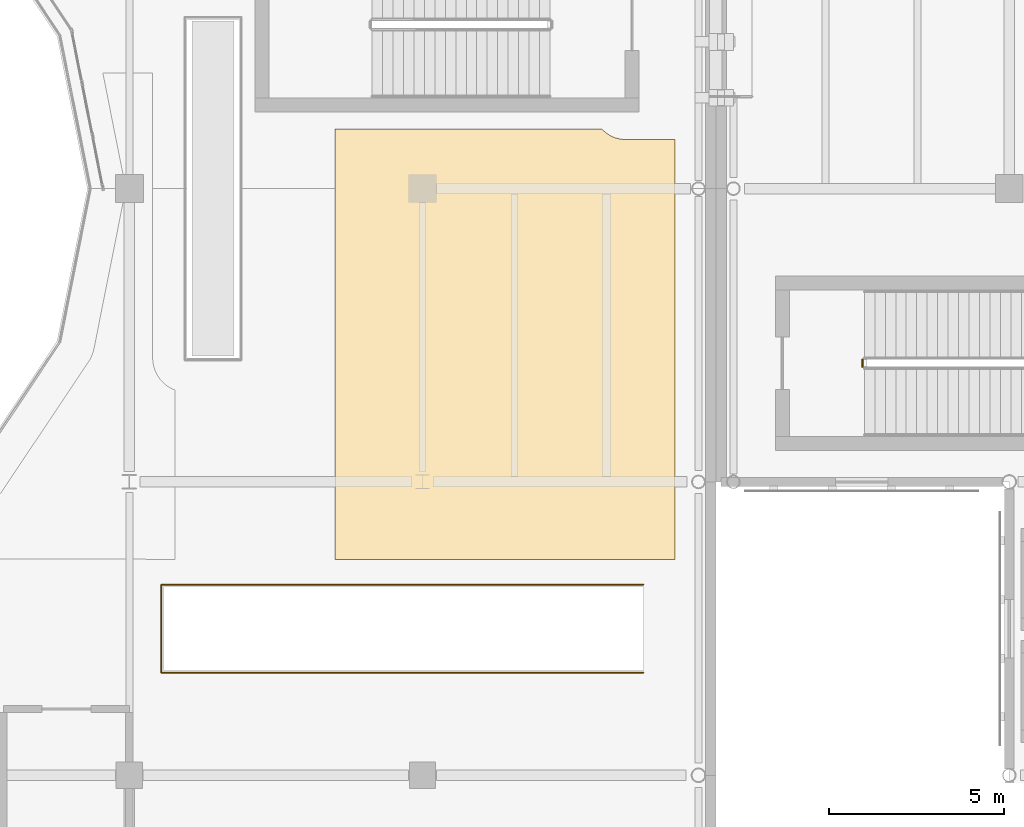
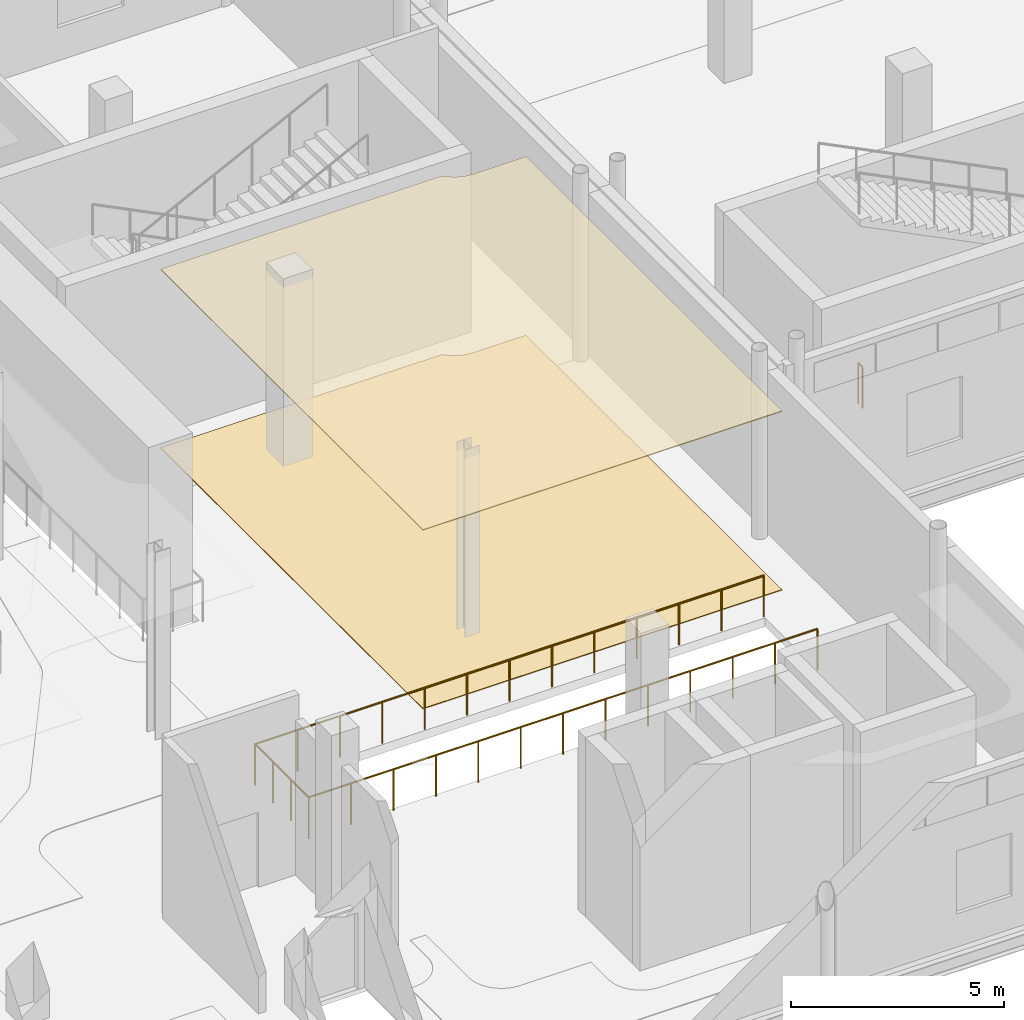
# One storey, part 89 of 110: 2 coverings, 2 railings.
"""IFC4 building model written with IfcOpenShell, lengths in metres."""

import ifcopenshell
import ifcopenshell.guid

model = None  # the IFC model being written
_history = None  # IfcOwnerHistory: only IFC2X3 demands one
_inside = {}  # id of a spatial element -> (the spatial element, [elements in it])
_under = {}  # id of a project, library or spatial element -> (it, [spatial elements below it])
_declared = {}  # id of a project -> (the project, [libraries it declares])
_typed = {}  # id of a type object -> (the type object, [elements of that type])
_made_of = {}  # id of a material, layer set ... -> (it, [elements and type objects made of it])


def new_model(schema):
    """Start an empty IFC model of exactly this schema.

    Asked for "IFC4X3", IfcOpenShell would pick the latest addendum, in which some entities
    have other attributes; the version numbers below select the first issue.
    IFC2X3 requires an IfcOwnerHistory on every rooted entity: one is made here for all.
    """
    global model, _history
    if schema == "IFC4X3":
        model = ifcopenshell.file(schema_version=(4, 3, 0, 0))
    else:
        model = ifcopenshell.file(schema=schema)
    _inside.clear()
    _under.clear()
    _declared.clear()
    _typed.clear()
    _made_of.clear()
    _history = None
    if model.schema == "IFC2X3":
        org = make("IfcOrganization", Name="unknown")
        user = make(
            "IfcPersonAndOrganization",
            ThePerson=make("IfcPerson", FamilyName="unknown"),
            TheOrganization=org,
        )
        app = make(
            "IfcApplication",
            ApplicationDeveloper=org,
            Version="unknown",
            ApplicationFullName="unknown",
            ApplicationIdentifier="unknown",
        )
        _history = make(
            "IfcOwnerHistory",
            OwningUser=user,
            OwningApplication=app,
            ChangeAction="ADDED",
            CreationDate=0,
        )
    return model


def make(cls, **values):
    """One entity of the class cls with the attributes given. An attribute that is None is left unset."""
    return model.create_entity(
        cls, **{name: value for name, value in values.items() if value is not None}
    )


def rooted(cls, **values):
    """An entity with a GlobalId (a new one), such as an element, a storey or a relation."""
    return make(cls, GlobalId=ifcopenshell.guid.new(), OwnerHistory=_history, **values)


def si_unit(unit_type, name, prefix=None):
    """IfcSIUnit, for example si_unit("LENGTHUNIT", "METRE", prefix="MILLI")."""
    return make("IfcSIUnit", UnitType=unit_type, Prefix=prefix, Name=name)


def assignment(units):
    """IfcUnitAssignment: the units of a project."""
    return None if units is None else make("IfcUnitAssignment", Units=units)


def point(xyz):
    """IfcCartesianPoint."""
    return None if xyz is None else make("IfcCartesianPoint", Coordinates=xyz)


def direction(xyz):
    """IfcDirection."""
    return None if xyz is None else make("IfcDirection", DirectionRatios=xyz)


def frame(location, z_axis=None, x_axis=None):
    """IfcAxis2Placement3D, a coordinate frame: its origin and axes. An axis left out is left unset."""
    return make(
        "IfcAxis2Placement3D",
        Location=point(location),
        Axis=direction(z_axis),
        RefDirection=direction(x_axis),
    )


def frame_2d(location, x_axis=None):
    """IfcAxis2Placement2D, a coordinate frame in the plane: its origin and x axis."""
    return make(
        "IfcAxis2Placement2D", Location=point(location), RefDirection=direction(x_axis)
    )


def origin():
    """The frame at (0, 0, 0) with its axes left unset."""
    return frame((0.0, 0.0, 0.0))


def origin_2d():
    """The frame at (0, 0) in the plane with its x axis left unset."""
    return frame_2d((0.0, 0.0))


def place(relative_to, where):
    """IfcLocalPlacement: puts the frame where relative to a parent placement (None: the world)."""
    return make(
        "IfcLocalPlacement", PlacementRelTo=relative_to, RelativePlacement=where
    )


def context(
    kind, dimensions, precision=None, world=None, true_north=None, identifier=None
):
    """IfcGeometricRepresentationContext, for example the 3D "Model" context."""
    return make(
        "IfcGeometricRepresentationContext",
        ContextIdentifier=identifier,
        ContextType=kind,
        CoordinateSpaceDimension=dimensions,
        Precision=precision,
        WorldCoordinateSystem=world,
        TrueNorth=true_north,
    )


def subcontext(parent, identifier, kind, view, scale=None):
    """IfcGeometricRepresentationSubContext, for example "Body" below "Model"."""
    return make(
        "IfcGeometricRepresentationSubContext",
        ContextIdentifier=identifier,
        ContextType=kind,
        ParentContext=parent,
        TargetScale=scale,
        TargetView=view,
    )


def project(units=None, contexts=None):
    """IfcProject with its units and contexts."""
    return rooted(
        "IfcProject",
        Name="project",
        RepresentationContexts=contexts,
        UnitsInContext=assignment(units),
    )


def spatial(cls, under=None, at=None, **own):
    """A site, building, storey or space (cls), placed at a placement, below another one or the project."""
    s = rooted(cls, ObjectPlacement=at, **own)
    if under is not None:
        _under.setdefault(under.id(), (under, []))[1].append(s)
    return s


def polyline(points):
    """IfcPolyline through the points."""
    return make("IfcPolyline", Points=[point(p) for p in points])


def profile(cls, at=None, kind="AREA", **sizes):
    """A parametric profile (cls). Its sizes go by their IFC names, for example OverallWidth=200.0."""
    return make(cls, ProfileType=kind, Position=at, **sizes)


def circle(**sizes):
    """IfcCircleProfileDef."""
    return profile("IfcCircleProfileDef", **sizes)


def outline(outer, holes=None, kind="AREA"):
    """IfcArbitraryClosedProfileDef: a profile drawn as a closed curve; with holes, ...WithVoids."""
    if holes is None:
        return make("IfcArbitraryClosedProfileDef", ProfileType=kind, OuterCurve=outer)
    return make(
        "IfcArbitraryProfileDefWithVoids",
        ProfileType=kind,
        OuterCurve=outer,
        InnerCurves=holes,
    )


def extrude(swept, where, along, depth):
    """IfcExtrudedAreaSolid: the profile swept, set in the frame where, extruded along a direction by depth."""
    return make(
        "IfcExtrudedAreaSolid",
        SweptArea=swept,
        Position=where,
        ExtrudedDirection=direction(along),
        Depth=depth,
    )


def shape(context_of_items, identifier, shape_type, items):
    """IfcShapeRepresentation: the items that make up one representation, for example the "Body"."""
    return make(
        "IfcShapeRepresentation",
        ContextOfItems=context_of_items,
        RepresentationIdentifier=identifier,
        RepresentationType=shape_type,
        Items=items,
    )


def material(Name=None, Category=None):
    """IfcMaterial."""
    return make("IfcMaterial", Name=Name, Category=Category)


def layer(
    of_material, thickness, ventilated=None, Name=None, Category=None, Priority=None
):
    """IfcMaterialLayer: one layer of a wall or slab, of a material (None: an air gap)."""
    return make(
        "IfcMaterialLayer",
        Material=of_material,
        LayerThickness=thickness,
        IsVentilated=ventilated,
        Name=Name,
        Category=Category,
        Priority=Priority,
    )


def layer_set(layers, Name=None):
    """IfcMaterialLayerSet."""
    return make("IfcMaterialLayerSet", MaterialLayers=layers, LayerSetName=Name)


def made_of(thing, what):
    """Note that an element or type object is made of a material, layer set ...; save() writes the relation."""
    if what is not None:
        _made_of.setdefault(what.id(), (what, []))[1].append(thing)
    return thing


def type_object(cls, material=None, **own):
    """A type object (cls), such as IfcWallType, which elements share."""
    return made_of(rooted(cls, **own), material)


def element(
    cls,
    number,
    at=None,
    inside=None,
    cuts=None,
    type_object=None,
    material=None,
    context=None,
    identifier="Body",
    shape_type=None,
    held_by="IfcProductDefinitionShape",
    body=None,
    shapes=None,
    **own,
):
    """One element of the class cls, such as IfcWall. Its Tag is "e" and its number.

    at: its placement. inside: the storey or other place that contains it. cuts: it is an
    opening in that element (IfcRelVoidsElement). A single representation is given by context,
    identifier, shape_type and body (its items); several are given by shapes. held_by: the class
    of the entity that holds the representations. save() writes the other relations.
    """
    e = rooted(cls, Tag="e%d" % number, ObjectPlacement=at, **own)
    if body is not None:
        shapes = [shape(context, identifier, shape_type, body)]
    if shapes is not None:
        e.Representation = make(held_by, Representations=shapes)
    if inside is not None:
        _inside.setdefault(inside.id(), (inside, []))[1].append(e)
    if cuts is not None:
        rooted(
            "IfcRelVoidsElement", RelatingBuildingElement=cuts, RelatedOpeningElement=e
        )
    if type_object is not None:
        _typed.setdefault(type_object.id(), (type_object, []))[1].append(e)
    return made_of(e, material)


def aggregate(whole, parts):
    """IfcRelAggregates: a whole, such as a stair, and the parts it consists of."""
    return rooted("IfcRelAggregates", RelatingObject=whole, RelatedObjects=parts)


def save(model, path):
    """Write the relations noted so far, then the file.

    IfcRelAggregates (storeys below a building ...), IfcRelContainedInSpatialStructure (elements
    in a storey), IfcRelDefinesByType, IfcRelAssociatesMaterial and IfcRelDeclares: one each for
    every whole, place, type object, material and project.
    """
    for whole, parts in _under.values():
        aggregate(whole, parts)
    for where, things in _inside.values():
        rooted(
            "IfcRelContainedInSpatialStructure",
            RelatedElements=things,
            RelatingStructure=where,
        )
    for kind, things in _typed.values():
        rooted("IfcRelDefinesByType", RelatedObjects=things, RelatingType=kind)
    for what, things in _made_of.values():
        rooted("IfcRelAssociatesMaterial", RelatedObjects=things, RelatingMaterial=what)
    for by, libraries in _declared.values():
        rooted("IfcRelDeclares", RelatingContext=by, RelatedDefinitions=libraries)
    model.write(path)


model = new_model("IFC4")

# Units and contexts
model_context = context("Model", 3, precision=1e-05, world=origin(), true_north=direction((0.0, 1.0)))
body_context = subcontext(model_context, "Body", "Model", "MODEL_VIEW")
ifc_project = project(units=[si_unit("LENGTHUNIT", "METRE"), si_unit("AREAUNIT", "SQUARE_METRE"), si_unit("VOLUMEUNIT", "CUBIC_METRE"), si_unit("PLANEANGLEUNIT", "RADIAN"), si_unit("MASSUNIT", "GRAM", prefix="KILO"), si_unit("THERMODYNAMICTEMPERATUREUNIT", "KELVIN")], contexts=[model_context])

# Site, building, storey
site_placement = place(None, origin())
site = spatial("IfcSite", under=ifc_project, at=site_placement, CompositionType="ELEMENT")
building_placement = place(site_placement, origin())
building = spatial("IfcBuilding", under=site, at=building_placement, Name="Lustrewick Department Store", CompositionType="ELEMENT")
storey_placement = place(building_placement, frame((0.0, 0.0, 6.0)))
storey = spatial("IfcBuildingStorey", under=building, at=storey_placement, Name="L02", CompositionType="ELEMENT", Elevation=6.0)

# Coverings
ifc_material_1 = material(Name="Perforated mineral-fibre acoustic ceiling board", Category="gypsum")
ifc_layer_1 = layer(ifc_material_1, 0.02490234375, Name="Perforated mineral-fibre acoustic ceiling board")
ifc_layer_set_1 = layer_set([ifc_layer_1], Name="Perforated mineral-fibre acoustic ceiling board")
covering_type_1 = type_object("IfcCoveringType", Name="COV-CEIL", PredefinedType="CEILING", material=ifc_layer_set_1)
covering_1_placement = place(storey_placement, frame((0.0, 0.0, 5.1201171875)))
element("IfcCovering", 1, at=covering_1_placement, inside=storey, type_object=covering_type_1, Name="L02 V1 Retail Merchandise Gallery 2 Acoustic Ceiling", PredefinedType="CEILING", context=body_context, shape_type="SweptSolid", body=[
    extrude(outline(polyline([(55.535400390625, 68.909912109375), (47.889892578125, 68.909912109375), (47.889892578125, 56.580078125), (57.6298828125, 56.580078125), (57.6298828125, 68.610107421875), (56.197021484375, 68.610107421875), (56.1123046875, 68.6142578125), (56.0283203125, 68.626708984375), (56.02490234375, 68.62744140625), (56.007568359375, 68.631103515625), (56.00439453125, 68.6318359375), (55.92138671875, 68.654541015625), (55.841552734375, 68.685302734375), (55.8388671875, 68.6865234375), (55.836181640625, 68.687744140625), (55.76953125, 68.72119140625), (55.765625, 68.723388671875), (55.7041015625, 68.760986328125), (55.64599609375, 68.803466796875), (55.641357421875, 68.80712890625), (55.570556640625, 68.87060546875), (55.535400390625, 68.909912109375)])), origin(), (0.0, 0.0, 1.0), 0.02490234375),
])
ifc_material_2 = material(Name="Polished terrazzo and porcelain floor finish", Category="masonry")
ifc_layer_2 = layer(ifc_material_2, 0.02001953125, Name="Polished terrazzo and porcelain floor finish")
ifc_layer_set_2 = layer_set([ifc_layer_2], Name="Polished terrazzo and porcelain floor finish")
covering_type_2 = type_object("IfcCoveringType", Name="COV-FLR", PredefinedType="FLOORING", material=ifc_layer_set_2)
covering_2_placement = place(storey_placement, origin())
element("IfcCovering", 2, at=covering_2_placement, inside=storey, type_object=covering_type_2, Name="L02 V1 Retail Merchandise Gallery 2 Terrazzo Flooring", PredefinedType="FLOORING", context=body_context, shape_type="SweptSolid", body=[
    extrude(outline(polyline([(55.535400390625, 68.909912109375), (47.889892578125, 68.909912109375), (47.889892578125, 56.580078125), (57.6298828125, 56.580078125), (57.6298828125, 68.610107421875), (56.197021484375, 68.610107421875), (56.1123046875, 68.6142578125), (56.0283203125, 68.626708984375), (56.02490234375, 68.62744140625), (56.007568359375, 68.631103515625), (56.00439453125, 68.6318359375), (55.92138671875, 68.654541015625), (55.841552734375, 68.685302734375), (55.8388671875, 68.6865234375), (55.836181640625, 68.687744140625), (55.76953125, 68.72119140625), (55.765625, 68.723388671875), (55.7041015625, 68.760986328125), (55.64599609375, 68.803466796875), (55.641357421875, 68.80712890625), (55.570556640625, 68.87060546875), (55.535400390625, 68.909912109375)])), origin(), (0.0, 0.0, 1.0), 0.02001953125),
])

# Railings
ifc_material_3 = material(Name="Laminated safety glass and bronze atrium balustrade", Category="glass")
railing_type_1 = type_object("IfcRailingType", Name="RL-BAL", PredefinedType="BALUSTRADE", material=ifc_material_3)
railing_1_placement = place(storey_placement, frame((56.719970703125, 53.340087890625, 0.0)))
element("IfcRailing", 3, at=railing_1_placement, inside=storey, type_object=railing_type_1, Name="L02 Feature Stair AST01 Well Balustrade", PredefinedType="BALUSTRADE", context=body_context, shape_type="SweptSolid", body=[
    extrude(circle(Radius=0.02392578125, at=origin_2d()), frame((0.0, 0.0, 1.17578125), z_axis=(-1.0, 0.0, 0.0), x_axis=(0.0, -1.0, 0.0)), (0.0, 0.0, 1.0), 13.800048828125),
    extrude(circle(Radius=0.02392578125, at=origin_2d()), frame((-13.800048828125, 0.0, 1.17578125), z_axis=(0.0, 1.0, 0.0), x_axis=(-1.0, 0.0, 0.0)), (0.0, 0.0, 1.0), 2.52001953125),
    extrude(circle(Radius=0.02392578125, at=origin_2d()), frame((-13.800048828125, 2.52001953125, 1.17578125), z_axis=(1.0, 0.0, 0.0), x_axis=(0.0, 1.0, 0.0)), (0.0, 0.0, 1.0), 13.800048828125),
    extrude(circle(Radius=0.02099609375, at=origin_2d()), origin(), (0.0, 0.0, 1.0), 1.15185546875),
    extrude(circle(Radius=0.02099609375, at=origin_2d()), frame((-1.14990234375, 0.0, 0.0)), (0.0, 0.0, 1.0), 1.15185546875),
    extrude(circle(Radius=0.02099609375, at=origin_2d()), frame((-2.300048828125, 0.0, 0.0)), (0.0, 0.0, 1.0), 1.15185546875),
    extrude(circle(Radius=0.02099609375, at=origin_2d()), frame((-3.449951171875, 0.0, 0.0)), (0.0, 0.0, 1.0), 1.15185546875),
    extrude(circle(Radius=0.02099609375, at=origin_2d()), frame((-4.60009765625, 0.0, 0.0)), (0.0, 0.0, 1.0), 1.15185546875),
    extrude(circle(Radius=0.02099609375, at=origin_2d()), frame((-5.75, 0.0, 0.0)), (0.0, 0.0, 1.0), 1.15185546875),
    extrude(circle(Radius=0.02099609375, at=origin_2d()), frame((-6.89990234375, 0.0, 0.0)), (0.0, 0.0, 1.0), 1.15185546875),
    extrude(circle(Radius=0.02099609375, at=origin_2d()), frame((-8.050048828125, 0.0, 0.0)), (0.0, 0.0, 1.0), 1.15185546875),
    extrude(circle(Radius=0.02099609375, at=origin_2d()), frame((-9.199951171875, 0.0, 0.0)), (0.0, 0.0, 1.0), 1.15185546875),
    extrude(circle(Radius=0.02099609375, at=origin_2d()), frame((-10.35009765625, 0.0, 0.0)), (0.0, 0.0, 1.0), 1.15185546875),
    extrude(circle(Radius=0.02099609375, at=origin_2d()), frame((-11.5, 0.0, 0.0)), (0.0, 0.0, 1.0), 1.15185546875),
    extrude(circle(Radius=0.02099609375, at=origin_2d()), frame((-12.650146484375, 0.0, 0.0)), (0.0, 0.0, 1.0), 1.15185546875),
    extrude(circle(Radius=0.02099609375, at=origin_2d()), frame((-13.800048828125, 0.0, 0.0)), (0.0, 0.0, 1.0), 1.15185546875),
    extrude(circle(Radius=0.02099609375, at=origin_2d()), frame((-13.800048828125, 0.840087890625, 0.0)), (0.0, 0.0, 1.0), 1.15185546875),
    extrude(circle(Radius=0.02099609375, at=origin_2d()), frame((-13.800048828125, 1.679931640625, 0.0)), (0.0, 0.0, 1.0), 1.15185546875),
    extrude(circle(Radius=0.02099609375, at=origin_2d()), frame((-13.800048828125, 2.52001953125, 0.0)), (0.0, 0.0, 1.0), 1.15185546875),
    extrude(circle(Radius=0.02099609375, at=origin_2d()), frame((-12.650146484375, 2.52001953125, 0.0)), (0.0, 0.0, 1.0), 1.15185546875),
    extrude(circle(Radius=0.02099609375, at=origin_2d()), frame((-11.5, 2.52001953125, 0.0)), (0.0, 0.0, 1.0), 1.15185546875),
    extrude(circle(Radius=0.02099609375, at=origin_2d()), frame((-10.35009765625, 2.52001953125, 0.0)), (0.0, 0.0, 1.0), 1.15185546875),
    extrude(circle(Radius=0.02099609375, at=origin_2d()), frame((-9.199951171875, 2.52001953125, 0.0)), (0.0, 0.0, 1.0), 1.15185546875),
    extrude(circle(Radius=0.02099609375, at=origin_2d()), frame((-8.050048828125, 2.52001953125, 0.0)), (0.0, 0.0, 1.0), 1.15185546875),
    extrude(circle(Radius=0.02099609375, at=origin_2d()), frame((-6.89990234375, 2.52001953125, 0.0)), (0.0, 0.0, 1.0), 1.15185546875),
    extrude(circle(Radius=0.02099609375, at=origin_2d()), frame((-5.75, 2.52001953125, 0.0)), (0.0, 0.0, 1.0), 1.15185546875),
    extrude(circle(Radius=0.02099609375, at=origin_2d()), frame((-4.60009765625, 2.52001953125, 0.0)), (0.0, 0.0, 1.0), 1.15185546875),
    extrude(circle(Radius=0.02099609375, at=origin_2d()), frame((-3.449951171875, 2.52001953125, 0.0)), (0.0, 0.0, 1.0), 1.15185546875),
    extrude(circle(Radius=0.02099609375, at=origin_2d()), frame((-2.300048828125, 2.52001953125, 0.0)), (0.0, 0.0, 1.0), 1.15185546875),
    extrude(circle(Radius=0.02099609375, at=origin_2d()), frame((-1.14990234375, 2.52001953125, 0.0)), (0.0, 0.0, 1.0), 1.15185546875),
    extrude(circle(Radius=0.02099609375, at=origin_2d()), frame((0.0, 2.52001953125, 0.0)), (0.0, 0.0, 1.0), 1.15185546875),
])
ifc_material_4 = material(Name="Painted tubular steel stairwell guardrail", Category="steel")
railing_type_2 = type_object("IfcRailingType", Name="RL-STG", PredefinedType="GUARDRAIL", material=ifc_material_4)
railing_2_placement = place(storey_placement, frame((63.0, 62.10009765625, 0.0)))
element("IfcRailing", 4, at=railing_2_placement, inside=storey, type_object=railing_type_2, Name="L02 ST04 Stair Guard 4", PredefinedType="GUARDRAIL", context=body_context, shape_type="SweptSolid", body=[
    extrude(circle(Radius=0.02392578125, at=origin_2d()), frame((0.0, 0.0, 1.17578125), z_axis=(0.0, 1.0, 0.0), x_axis=(-1.0, 0.0, 0.0)), (0.0, 0.0, 1.0), 0.199951171875),
    extrude(circle(Radius=0.02099609375, at=origin_2d()), origin(), (0.0, 0.0, 1.0), 1.15185546875),
    extrude(circle(Radius=0.02099609375, at=origin_2d()), frame((0.0, 0.199951171875, 0.0)), (0.0, 0.0, 1.0), 1.15185546875),
])

save(model, "model.ifc")
